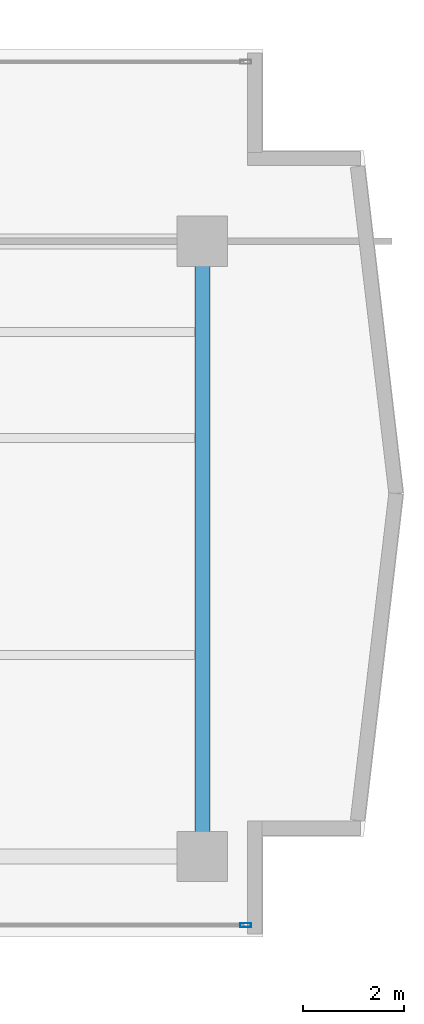
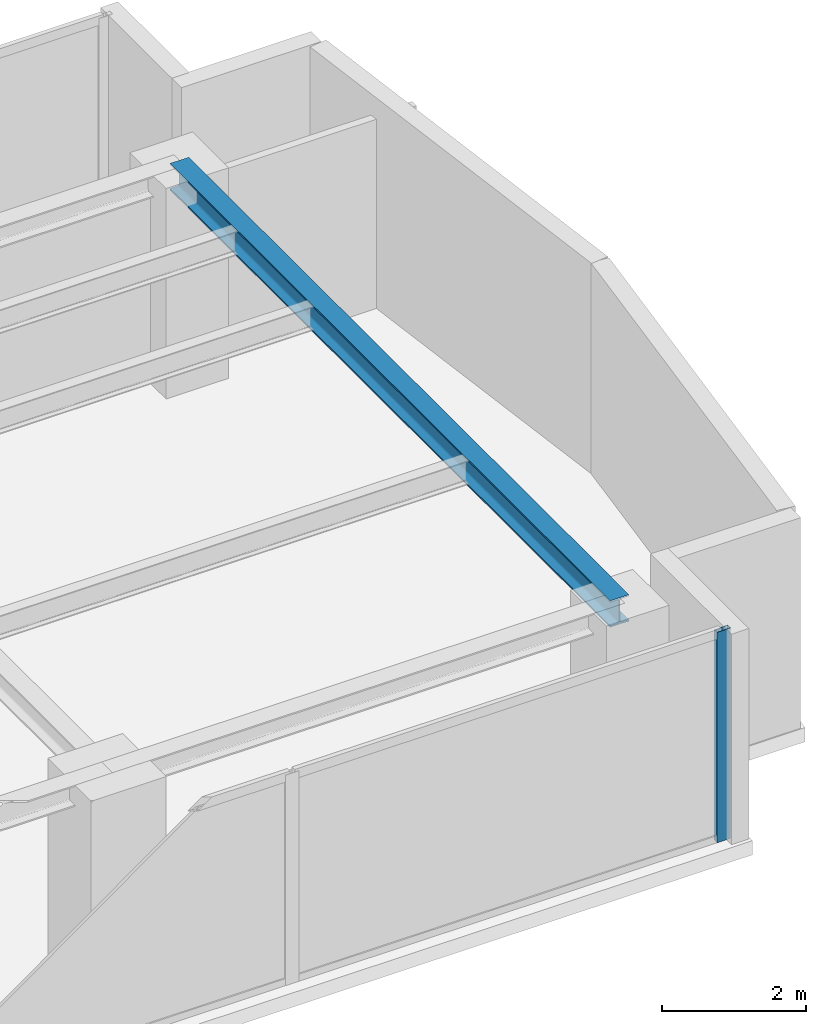
# One storey, part 12 of 24: 1 beam, 1 member, 1 element without a shape of its own.
"""IFC4 building model written with IfcOpenShell, lengths in metres."""

from ifc_helpers import new_model, si_unit, direction, frame, origin, origin_with_axes, origin_2d, place, context, subcontext, project, spatial, hollow_rectangle, i_section, extrude, source, transform, mapped, material, layer, layer_set, material_profile, profile_set, type_object, element, aggregate, save


model = new_model("IFC4")

# Units and contexts
model_context = context("Model", 3, precision=1e-05, world=origin(), true_north=direction((0.0, 1.0)))
body_context = subcontext(model_context, "Body", "Model", "MODEL_VIEW")
ifc_project = project(units=[si_unit("LENGTHUNIT", "METRE"), si_unit("AREAUNIT", "SQUARE_METRE"), si_unit("VOLUMEUNIT", "CUBIC_METRE"), si_unit("PLANEANGLEUNIT", "RADIAN"), si_unit("MASSUNIT", "GRAM", prefix="KILO")], contexts=[model_context])

# Site, building, storey
site_placement = place(None, origin())
site = spatial("IfcSite", under=ifc_project, at=site_placement, CompositionType="ELEMENT")
building_placement = place(site_placement, origin())
building = spatial("IfcBuilding", under=site, at=building_placement, Name="Kolvaren Waterfront Exchange", CompositionType="ELEMENT")
storey_placement = place(building_placement, frame((0.0, 0.0, 184.199951171875)))
storey = spatial("IfcBuildingStorey", under=building, at=storey_placement, Name="L47", CompositionType="ELEMENT", Elevation=184.199951171875)

# Beam
ifc_material_1 = material(Name="Steel S355", Category="steel")
ifc_material_profile_1 = material_profile(ifc_material_1, i_section(OverallWidth=0.300048828125, OverallDepth=0.449951171875, WebThickness=0.013916015625, FlangeThickness=0.02587890625, FilletRadius=0.027099609375, at=origin_2d()), Name="HEB450")
ifc_profile_set_1 = profile_set([ifc_material_profile_1], Name="Steel S355")
beam_type = type_object("IfcBeamType", Name="STR-BM-HEB450", PredefinedType="BEAM", material=ifc_profile_set_1)
beam_placement = place(storey_placement, frame((53.800048828125, 5.199951171875, 3.3349609375), z_axis=(0.0, 1.0, 0.0), x_axis=(-1.0, 0.0, 0.0)))
element("IfcBeam", 1, at=beam_placement, inside=storey, type_object=beam_type, Name="L47 east-arm transverse girder X53", PredefinedType="BEAM", context=body_context, shape_type="SweptSolid", body=[
    extrude(i_section(OverallWidth=0.300048828125, OverallDepth=0.449951171875, WebThickness=0.013916015625, FlangeThickness=0.02587890625, FilletRadius=0.027099609375, at=origin_2d()), origin(), (0.0, 0.0, 1.0), 12.199951171875),
])

# Curtain wall, member
ifc_material_2 = material(Name="Anodised bronze aluminium 6063-T6", Category="aluminium")
ifc_layer = layer(ifc_material_2, 0.219970703125, Name="Anodised bronze aluminium 6063-T6")
ifc_layer_set = layer_set([ifc_layer], Name="Anodised bronze aluminium 6063-T6")
curtain_wall_type = type_object("IfcCurtainWallType", Name="ARC-CW-SYS1", PredefinedType="USERDEFINED", material=ifc_layer_set)
curtain_wall_placement = place(storey_placement, origin())
curtain_wall = element("IfcCurtainWall", 2, at=curtain_wall_placement, inside=storey, type_object=curtain_wall_type, Name="L47 stick curtain wall CW1 (CW-L47-S)", ObjectType="STICK CURTAIN WALL", PredefinedType="USERDEFINED")
ifc_material_3 = material(Name="Anodised aluminium 6063-T6", Category="aluminium")
ifc_material_profile_2 = material_profile(ifc_material_3, hollow_rectangle(XDim=0.080078125, YDim=0.219970703125, WallThickness=0.0048828125, at=origin_2d()), Name="ALU-MUL-220x80x5")
ifc_profile_set_2 = profile_set([ifc_material_profile_2], Name="Anodised aluminium 6063-T6")
member_type = type_object("IfcMemberType", Name="ARC-CWM-220", PredefinedType="MULLION", material=ifc_profile_set_2)
shared_shape = source(origin_with_axes(), body_context, "Body", "SweptSolid", [
    extrude(hollow_rectangle(XDim=0.080078125, YDim=0.219970703125, WallThickness=0.0048828125, at=origin_2d()), origin(), (0.0, 0.0, 1.0), 3.56005859375),
])
member_placement = place(storey_placement, frame((54.659912109375, 3.840087890625, 0.0), z_axis=(0.0, 0.0, 1.0), x_axis=(0.0, 1.0, 0.0)))
member = element("IfcMember", 3, at=member_placement, type_object=member_type, Name="CW1 mullion 8", PredefinedType="MULLION", context=body_context, shape_type="MappedRepresentation", body=[
    mapped(shared_shape, transform((0.0, 0.0, 0.0), x_axis=(1.0, 0.0, 0.0), y_axis=(0.0, 1.0, 0.0), z_axis=(0.0, 0.0, 1.0), scale=1.0)),
])
aggregate(curtain_wall, [member])

save(model, "model.ifc")
